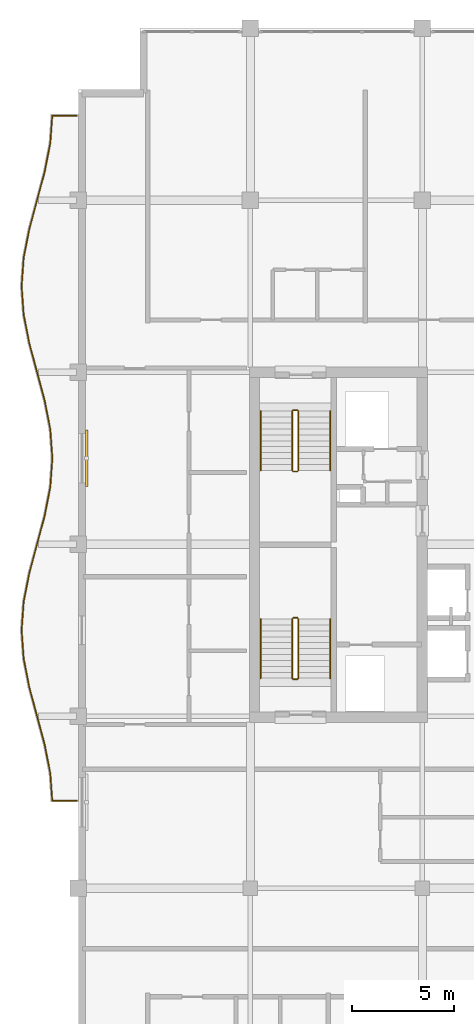
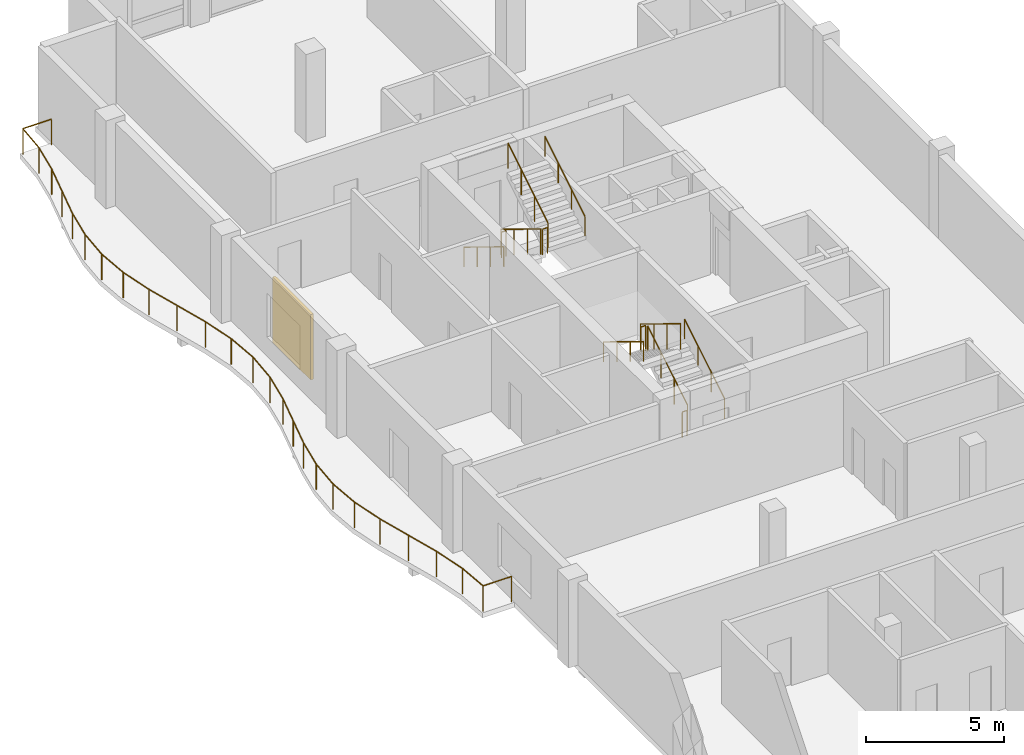
# One storey, part 15 of 15: 13 railings, 1 shading device.
"""IFC4 building model written with IfcOpenShell, lengths in metres."""

from ifc_helpers import new_model, si_unit, direction, frame, origin, origin_2d, place, context, subcontext, project, spatial, rectangle, circle, extrude, material, layer, layer_set, type_object, element, save


model = new_model("IFC4")

# Units and contexts
model_context = context("Model", 3, precision=1e-05, world=origin(), true_north=direction((0.0, 1.0)))
body_context = subcontext(model_context, "Body", "Model", "MODEL_VIEW")
ifc_project = project(units=[si_unit("LENGTHUNIT", "METRE"), si_unit("AREAUNIT", "SQUARE_METRE"), si_unit("VOLUMEUNIT", "CUBIC_METRE"), si_unit("PLANEANGLEUNIT", "RADIAN"), si_unit("MASSUNIT", "GRAM", prefix="KILO")], contexts=[model_context])

# Site, building, storey
site_placement = place(None, origin())
site = spatial("IfcSite", under=ifc_project, at=site_placement, CompositionType="ELEMENT")
building_placement = place(site_placement, origin())
building = spatial("IfcBuilding", under=site, at=building_placement, Name="Koriwani Terraces Tower", CompositionType="ELEMENT")
storey_placement = place(building_placement, frame((0.0, 0.0, 300.800048828125)))
storey = spatial("IfcBuildingStorey", under=building, at=storey_placement, Name="L74", CompositionType="ELEMENT", Elevation=300.800048828125)

# Railings
ifc_material_1 = material(Name="Steel ASTM A572 Grade 50", Category="steel")
railing_type_1 = type_object("IfcRailingType", Name="GUARD_BALUSTRADE_1150", PredefinedType="BALUSTRADE", material=ifc_material_1)
railing_1_placement = place(storey_placement, frame((8.320068359375, 37.8798828125, 0.0)))
element("IfcRailing", 1, at=railing_1_placement, inside=storey, type_object=railing_type_1, Name="L74 Balcony Perimeter Safety Balustrade (W)", PredefinedType="BALUSTRADE", context=body_context, shape_type="SweptSolid", body=[
    extrude(circle(Radius=0.02392578125, at=origin_2d()), frame((0.0, 0.0, 1.1259765625), z_axis=(-1.0, 0.0, 0.0), x_axis=(0.0, -1.0, 0.0)), (0.0, 0.0, 1.0), 1.195556640625),
    extrude(circle(Radius=0.02392578125, at=origin_2d()), frame((-1.195556640625, 0.0, 1.1259765625), z_axis=(-0.071910212079, 0.997411109522, 0.0), x_axis=(-0.997411109522, -0.071910212079, 0.0)), (0.0, 0.0, 1.0), 1.334228515625),
    extrude(circle(Radius=0.02392578125, at=origin_2d()), frame((-1.29150390625, 1.330810546875, 1.1259765625), z_axis=(-0.192218357442, 0.981352180954, 0.0), x_axis=(-0.981352180954, -0.192218357442, 0.0)), (0.0, 0.0, 1.0), 1.43408203125),
    extrude(circle(Radius=0.02392578125, at=origin_2d()), frame((-1.567138671875, 2.738037109375, 1.1259765625), z_axis=(-0.258710827923, 0.965954816498, 0.0), x_axis=(-0.965954816498, -0.258710827923, 0.0)), (0.0, 0.0, 1.0), 2.89892578125),
    extrude(circle(Radius=0.02392578125, at=origin_2d()), frame((-2.317138671875, 5.538330078125, 1.1259765625), z_axis=(-0.19237547223, 0.981321393675, 0.0), x_axis=(-0.981321393675, -0.19237547223, 0.0)), (0.0, 0.0, 1.0), 1.4189453125),
    extrude(circle(Radius=0.02392578125, at=origin_2d()), frame((-2.590087890625, 6.9306640625, 1.1259765625), z_axis=(-0.07168297904, 0.997427466293, 0.0), x_axis=(-0.997427466293, -0.07168297904, 0.0)), (0.0, 0.0, 1.0), 1.39306640625),
    extrude(circle(Radius=0.02392578125, at=origin_2d()), frame((-2.68994140625, 8.320068359375, 1.1259765625), z_axis=(0.07168297904, 0.997427466293, 0.0), x_axis=(-0.997427466293, 0.07168297904, 0.0)), (0.0, 0.0, 1.0), 1.39306640625),
    extrude(circle(Radius=0.02392578125, at=origin_2d()), frame((-2.590087890625, 9.70947265625, 1.1259765625), z_axis=(0.192342993657, 0.981327760125, 0.0), x_axis=(-0.981327760125, 0.192342993657, 0.0)), (0.0, 0.0, 1.0), 1.419189453125),
    extrude(circle(Radius=0.02392578125, at=origin_2d()), frame((-2.317138671875, 11.10205078125, 1.1259765625), z_axis=(0.258731875344, 0.96594917914, 0.0), x_axis=(-0.96594917914, 0.258731875344, 0.0)), (0.0, 0.0, 1.0), 2.898681640625),
    extrude(circle(Radius=0.02392578125, at=origin_2d()), frame((-1.567138671875, 13.902099609375, 1.1259765625), z_axis=(0.192186246762, 0.981358469957, 0.0), x_axis=(-0.981358469957, 0.192186246762, 0.0)), (0.0, 0.0, 1.0), 1.434326171875),
    extrude(circle(Radius=0.02392578125, at=origin_2d()), frame((-1.29150390625, 15.3095703125, 1.1259765625), z_axis=(0.071639614309, 0.997430581876, 0.0), x_axis=(-0.997430581876, 0.071639614309, 0.0)), (0.0, 0.0, 1.0), 1.414306640625),
    extrude(circle(Radius=0.02392578125, at=origin_2d()), frame((-1.190185546875, 16.72021484375, 1.1259765625), z_axis=(-0.071651951482, 0.997429695692, 0.0), x_axis=(-0.997429695692, -0.071651951482, 0.0)), (0.0, 0.0, 1.0), 1.4140625),
    extrude(circle(Radius=0.02392578125, at=origin_2d()), frame((-1.29150390625, 18.130615234375, 1.1259765625), z_axis=(-0.192186246762, 0.981358469957, 0.0), x_axis=(-0.981358469957, -0.192186246762, 0.0)), (0.0, 0.0, 1.0), 1.434326171875),
    extrude(circle(Radius=0.02392578125, at=origin_2d()), frame((-1.567138671875, 19.5380859375, 1.1259765625), z_axis=(-0.258731875344, 0.96594917914, 0.0), x_axis=(-0.96594917914, -0.258731875344, 0.0)), (0.0, 0.0, 1.0), 2.898681640625),
    extrude(circle(Radius=0.02392578125, at=origin_2d()), frame((-2.317138671875, 22.338134765625, 1.1259765625), z_axis=(-0.192342993657, 0.981327760125, 0.0), x_axis=(-0.981327760125, -0.192342993657, 0.0)), (0.0, 0.0, 1.0), 1.419189453125),
    extrude(circle(Radius=0.02392578125, at=origin_2d()), frame((-2.590087890625, 23.730712890625, 1.1259765625), z_axis=(-0.07168297904, 0.997427466293, 0.0), x_axis=(-0.997427466293, -0.07168297904, 0.0)), (0.0, 0.0, 1.0), 1.39306640625),
    extrude(circle(Radius=0.02392578125, at=origin_2d()), frame((-2.68994140625, 25.1201171875, 1.1259765625), z_axis=(0.07168297904, 0.997427466293, 0.0), x_axis=(-0.997427466293, 0.07168297904, 0.0)), (0.0, 0.0, 1.0), 1.39306640625),
    extrude(circle(Radius=0.02392578125, at=origin_2d()), frame((-2.590087890625, 26.509521484375, 1.1259765625), z_axis=(0.192342993657, 0.981327760125, 0.0), x_axis=(-0.981327760125, 0.192342993657, 0.0)), (0.0, 0.0, 1.0), 1.419189453125),
    extrude(circle(Radius=0.02392578125, at=origin_2d()), frame((-2.317138671875, 27.902099609375, 1.1259765625), z_axis=(0.258731875344, 0.96594917914, 0.0), x_axis=(-0.96594917914, 0.258731875344, 0.0)), (0.0, 0.0, 1.0), 2.898681640625),
    extrude(circle(Radius=0.02392578125, at=origin_2d()), frame((-1.567138671875, 30.7021484375, 1.1259765625), z_axis=(0.192186246762, 0.981358469957, 0.0), x_axis=(-0.981358469957, 0.192186246762, 0.0)), (0.0, 0.0, 1.0), 1.434326171875),
    extrude(circle(Radius=0.02392578125, at=origin_2d()), frame((-1.29150390625, 32.109619140625, 1.1259765625), z_axis=(0.071923338365, 0.997410163072, 0.0), x_axis=(-0.997410163072, 0.071923338365, 0.0)), (0.0, 0.0, 1.0), 1.333984375),
    extrude(circle(Radius=0.02392578125, at=origin_2d()), frame((-1.195556640625, 33.440185546875, 1.1259765625), z_axis=(1.0, 0.0, 0.0), x_axis=(0.0, 1.0, 0.0)), (0.0, 0.0, 1.0), 1.195556640625),
    extrude(circle(Radius=0.02099609375, at=origin_2d()), origin(), (0.0, 0.0, 1.0), 1.101806640625),
    extrude(circle(Radius=0.02099609375, at=origin_2d()), frame((-1.195556640625, 0.0, 0.0)), (0.0, 0.0, 1.0), 1.101806640625),
    extrude(circle(Radius=0.02099609375, at=origin_2d()), frame((-1.29150390625, 1.330810546875, 0.0)), (0.0, 0.0, 1.0), 1.101806640625),
    extrude(circle(Radius=0.02099609375, at=origin_2d()), frame((-1.567138671875, 2.738037109375, 0.0)), (0.0, 0.0, 1.0), 1.101806640625),
    extrude(circle(Radius=0.02099609375, at=origin_2d()), frame((-1.942138671875, 4.13818359375, 0.0)), (0.0, 0.0, 1.0), 1.101806640625),
    extrude(circle(Radius=0.02099609375, at=origin_2d()), frame((-2.317138671875, 5.538330078125, 0.0)), (0.0, 0.0, 1.0), 1.101806640625),
    extrude(circle(Radius=0.02099609375, at=origin_2d()), frame((-2.590087890625, 6.9306640625, 0.0)), (0.0, 0.0, 1.0), 1.101806640625),
    extrude(circle(Radius=0.02099609375, at=origin_2d()), frame((-2.68994140625, 8.320068359375, 0.0)), (0.0, 0.0, 1.0), 1.101806640625),
    extrude(circle(Radius=0.02099609375, at=origin_2d()), frame((-2.590087890625, 9.70947265625, 0.0)), (0.0, 0.0, 1.0), 1.101806640625),
    extrude(circle(Radius=0.02099609375, at=origin_2d()), frame((-2.317138671875, 11.10205078125, 0.0)), (0.0, 0.0, 1.0), 1.101806640625),
    extrude(circle(Radius=0.02099609375, at=origin_2d()), frame((-1.942138671875, 12.501953125, 0.0)), (0.0, 0.0, 1.0), 1.101806640625),
    extrude(circle(Radius=0.02099609375, at=origin_2d()), frame((-1.567138671875, 13.902099609375, 0.0)), (0.0, 0.0, 1.0), 1.101806640625),
    extrude(circle(Radius=0.02099609375, at=origin_2d()), frame((-1.29150390625, 15.3095703125, 0.0)), (0.0, 0.0, 1.0), 1.101806640625),
    extrude(circle(Radius=0.02099609375, at=origin_2d()), frame((-1.190185546875, 16.72021484375, 0.0)), (0.0, 0.0, 1.0), 1.101806640625),
    extrude(circle(Radius=0.02099609375, at=origin_2d()), frame((-1.29150390625, 18.130615234375, 0.0)), (0.0, 0.0, 1.0), 1.101806640625),
    extrude(circle(Radius=0.02099609375, at=origin_2d()), frame((-1.567138671875, 19.5380859375, 0.0)), (0.0, 0.0, 1.0), 1.101806640625),
    extrude(circle(Radius=0.02099609375, at=origin_2d()), frame((-1.942138671875, 20.93798828125, 0.0)), (0.0, 0.0, 1.0), 1.101806640625),
    extrude(circle(Radius=0.02099609375, at=origin_2d()), frame((-2.317138671875, 22.338134765625, 0.0)), (0.0, 0.0, 1.0), 1.101806640625),
    extrude(circle(Radius=0.02099609375, at=origin_2d()), frame((-2.590087890625, 23.730712890625, 0.0)), (0.0, 0.0, 1.0), 1.101806640625),
    extrude(circle(Radius=0.02099609375, at=origin_2d()), frame((-2.68994140625, 25.1201171875, 0.0)), (0.0, 0.0, 1.0), 1.101806640625),
    extrude(circle(Radius=0.02099609375, at=origin_2d()), frame((-2.590087890625, 26.509521484375, 0.0)), (0.0, 0.0, 1.0), 1.101806640625),
    extrude(circle(Radius=0.02099609375, at=origin_2d()), frame((-2.317138671875, 27.902099609375, 0.0)), (0.0, 0.0, 1.0), 1.101806640625),
    extrude(circle(Radius=0.02099609375, at=origin_2d()), frame((-1.942138671875, 29.30224609375, 0.0)), (0.0, 0.0, 1.0), 1.101806640625),
    extrude(circle(Radius=0.02099609375, at=origin_2d()), frame((-1.567138671875, 30.7021484375, 0.0)), (0.0, 0.0, 1.0), 1.101806640625),
    extrude(circle(Radius=0.02099609375, at=origin_2d()), frame((-1.29150390625, 32.109619140625, 0.0)), (0.0, 0.0, 1.0), 1.101806640625),
    extrude(circle(Radius=0.02099609375, at=origin_2d()), frame((-1.195556640625, 33.440185546875, 0.0)), (0.0, 0.0, 1.0), 1.101806640625),
    extrude(circle(Radius=0.02099609375, at=origin_2d()), frame((0.0, 33.440185546875, 0.0)), (0.0, 0.0, 1.0), 1.101806640625),
])
railing_type_2 = type_object("IfcRailingType", Name="GUARD_STAIR_WELL_1120", PredefinedType="GUARDRAIL", material=ifc_material_1)
railing_2_placement = place(storey_placement, frame((19.14990234375, 43.85009765625, 0.17724609375)))
element("IfcRailing", 2, at=railing_2_placement, inside=storey, type_object=railing_type_2, Name="L74 ST-W1 stair guard 1", PredefinedType="GUARDRAIL", context=body_context, shape_type="SweptSolid", body=[
    extrude(circle(Radius=0.02392578125, at=origin_2d()), frame((0.0, 0.0, 1.1259765625), z_axis=(0.0, 0.853210801645, 0.521566225858), x_axis=(-1.0, 0.0, 0.0)), (0.0, 0.0, 1.0), 3.39892578125),
    extrude(circle(Radius=0.02099609375, at=origin_2d()), origin(), (0.0, 0.0, 1.0), 1.101806640625),
    extrude(circle(Radius=0.02099609375, at=origin_2d()), frame((0.0, 0.966552734375, 0.5908203125)), (0.0, 0.0, 1.0), 1.101806640625),
    extrude(circle(Radius=0.02099609375, at=origin_2d()), frame((0.0, 1.933349609375, 1.181884765625)), (0.0, 0.0, 1.0), 1.101806640625),
    extrude(circle(Radius=0.02099609375, at=origin_2d()), frame((0.0, 2.89990234375, 1.772705078125)), (0.0, 0.0, 1.0), 1.101806640625),
])
railing_3_placement = place(storey_placement, frame((19.10009765625, 46.800048828125, 1.949951171875)))
element("IfcRailing", 3, at=railing_3_placement, inside=storey, type_object=railing_type_2, Name="L74 ST-W1 stair guard 2", PredefinedType="GUARDRAIL", context=body_context, shape_type="SweptSolid", body=[
    extrude(circle(Radius=0.02392578125, at=origin_2d()), frame((0.0, 0.0, 1.1259765625), z_axis=(-1.0, 0.0, 0.0), x_axis=(0.0, -1.0, 0.0)), (0.0, 0.0, 1.0), 0.2001953125),
    extrude(circle(Radius=0.02099609375, at=origin_2d()), origin(), (0.0, 0.0, 1.0), 1.101806640625),
    extrude(circle(Radius=0.02099609375, at=origin_2d()), frame((-0.2001953125, 0.0, 0.0)), (0.0, 0.0, 1.0), 1.101806640625),
])
railing_4_placement = place(storey_placement, frame((18.85009765625, 46.75, 2.127197265625)))
element("IfcRailing", 4, at=railing_4_placement, inside=storey, type_object=railing_type_2, Name="L74 ST-W1 stair guard 3", PredefinedType="GUARDRAIL", context=body_context, shape_type="SweptSolid", body=[
    extrude(circle(Radius=0.02392578125, at=origin_2d()), frame((0.0, 0.0, 1.1259765625), z_axis=(0.0, -0.853210801645, 0.521566225858), x_axis=(1.0, 0.0, 0.0)), (0.0, 0.0, 1.0), 3.39892578125),
    extrude(circle(Radius=0.02099609375, at=origin_2d()), origin(), (0.0, 0.0, 1.0), 1.101806640625),
    extrude(circle(Radius=0.02099609375, at=origin_2d()), frame((0.0, -0.966552734375, 0.5908203125)), (0.0, 0.0, 1.0), 1.101806640625),
    extrude(circle(Radius=0.02099609375, at=origin_2d()), frame((0.0, -1.933349609375, 1.181884765625)), (0.0, 0.0, 1.0), 1.101806640625),
    extrude(circle(Radius=0.02099609375, at=origin_2d()), frame((0.0, -2.89990234375, 1.772705078125)), (0.0, 0.0, 1.0), 1.101806640625),
])
railing_5_placement = place(storey_placement, frame((19.10009765625, 43.800048828125, 0.0)))
element("IfcRailing", 5, at=railing_5_placement, inside=storey, type_object=railing_type_2, Name="L74 ST-W1 stair guard 4", PredefinedType="GUARDRAIL", context=body_context, shape_type="SweptSolid", body=[
    extrude(circle(Radius=0.02392578125, at=origin_2d()), frame((0.0, 0.0, 1.1259765625), z_axis=(-1.0, 0.0, 0.0), x_axis=(0.0, -1.0, 0.0)), (0.0, 0.0, 1.0), 0.2001953125),
    extrude(circle(Radius=0.02099609375, at=origin_2d()), origin(), (0.0, 0.0, 1.0), 1.101806640625),
    extrude(circle(Radius=0.02099609375, at=origin_2d()), frame((-0.2001953125, 0.0, 0.0)), (0.0, 0.0, 1.0), 1.101806640625),
])
railing_6_placement = place(storey_placement, frame((18.85009765625, 56.89990234375, 0.17724609375)))
element("IfcRailing", 6, at=railing_6_placement, inside=storey, type_object=railing_type_2, Name="L74 ST-W2 stair guard 1", PredefinedType="GUARDRAIL", context=body_context, shape_type="SweptSolid", body=[
    extrude(circle(Radius=0.02392578125, at=origin_2d()), frame((0.0, 0.0, 1.1259765625), z_axis=(0.0, -0.853210801645, 0.521566225858), x_axis=(1.0, 0.0, 0.0)), (0.0, 0.0, 1.0), 3.39892578125),
    extrude(circle(Radius=0.02099609375, at=origin_2d()), origin(), (0.0, 0.0, 1.0), 1.101806640625),
    extrude(circle(Radius=0.02099609375, at=origin_2d()), frame((0.0, -0.966552734375, 0.5908203125)), (0.0, 0.0, 1.0), 1.101806640625),
    extrude(circle(Radius=0.02099609375, at=origin_2d()), frame((0.0, -1.933349609375, 1.181884765625)), (0.0, 0.0, 1.0), 1.101806640625),
    extrude(circle(Radius=0.02099609375, at=origin_2d()), frame((0.0, -2.89990234375, 1.772705078125)), (0.0, 0.0, 1.0), 1.101806640625),
])
railing_7_placement = place(storey_placement, frame((18.89990234375, 53.949951171875, 1.949951171875)))
element("IfcRailing", 7, at=railing_7_placement, inside=storey, type_object=railing_type_2, Name="L74 ST-W2 stair guard 2", PredefinedType="GUARDRAIL", context=body_context, shape_type="SweptSolid", body=[
    extrude(circle(Radius=0.02392578125, at=origin_2d()), frame((0.0, 0.0, 1.1259765625), z_axis=(1.0, 0.0, 0.0), x_axis=(0.0, 1.0, 0.0)), (0.0, 0.0, 1.0), 0.2001953125),
    extrude(circle(Radius=0.02099609375, at=origin_2d()), origin(), (0.0, 0.0, 1.0), 1.101806640625),
    extrude(circle(Radius=0.02099609375, at=origin_2d()), frame((0.2001953125, 0.0, 0.0)), (0.0, 0.0, 1.0), 1.101806640625),
])
railing_8_placement = place(storey_placement, frame((19.14990234375, 54.0, 2.127197265625)))
element("IfcRailing", 8, at=railing_8_placement, inside=storey, type_object=railing_type_2, Name="L74 ST-W2 stair guard 3", PredefinedType="GUARDRAIL", context=body_context, shape_type="SweptSolid", body=[
    extrude(circle(Radius=0.02392578125, at=origin_2d()), frame((0.0, 0.0, 1.1259765625), z_axis=(0.0, 0.853210801645, 0.521566225858), x_axis=(-1.0, 0.0, 0.0)), (0.0, 0.0, 1.0), 3.39892578125),
    extrude(circle(Radius=0.02099609375, at=origin_2d()), origin(), (0.0, 0.0, 1.0), 1.101806640625),
    extrude(circle(Radius=0.02099609375, at=origin_2d()), frame((0.0, 0.966552734375, 0.5908203125)), (0.0, 0.0, 1.0), 1.101806640625),
    extrude(circle(Radius=0.02099609375, at=origin_2d()), frame((0.0, 1.933349609375, 1.181884765625)), (0.0, 0.0, 1.0), 1.101806640625),
    extrude(circle(Radius=0.02099609375, at=origin_2d()), frame((0.0, 2.89990234375, 1.772705078125)), (0.0, 0.0, 1.0), 1.101806640625),
])
railing_9_placement = place(storey_placement, frame((18.89990234375, 56.949951171875, 0.0)))
element("IfcRailing", 9, at=railing_9_placement, inside=storey, type_object=railing_type_2, Name="L74 ST-W2 stair guard 4", PredefinedType="GUARDRAIL", context=body_context, shape_type="SweptSolid", body=[
    extrude(circle(Radius=0.02392578125, at=origin_2d()), frame((0.0, 0.0, 1.1259765625), z_axis=(1.0, 0.0, 0.0), x_axis=(0.0, 1.0, 0.0)), (0.0, 0.0, 1.0), 0.2001953125),
    extrude(circle(Radius=0.02099609375, at=origin_2d()), origin(), (0.0, 0.0, 1.0), 1.101806640625),
    extrude(circle(Radius=0.02099609375, at=origin_2d()), frame((0.2001953125, 0.0, 0.0)), (0.0, 0.0, 1.0), 1.101806640625),
])
railing_type_3 = type_object("IfcRailingType", Name="HANDRAIL_STAIR_920", PredefinedType="HANDRAIL", material=ifc_material_1)
railing_10_placement = place(storey_placement, frame((20.699951171875, 43.85009765625, 0.17724609375)))
element("IfcRailing", 10, at=railing_10_placement, inside=storey, type_object=railing_type_3, Name="L74 ST-W1 stair handrail 1", PredefinedType="HANDRAIL", context=body_context, shape_type="SweptSolid", body=[
    extrude(circle(Radius=0.02392578125, at=origin_2d()), frame((0.0, 0.0, 0.8759765625), z_axis=(0.0, 0.853210801645, 0.521566225858), x_axis=(-1.0, 0.0, 0.0)), (0.0, 0.0, 1.0), 3.39892578125),
    extrude(circle(Radius=0.02099609375, at=origin_2d()), origin(), (0.0, 0.0, 1.0), 0.851806640625),
    extrude(circle(Radius=0.02099609375, at=origin_2d()), frame((0.0, 0.966552734375, 0.5908203125)), (0.0, 0.0, 1.0), 0.851806640625),
    extrude(circle(Radius=0.02099609375, at=origin_2d()), frame((0.0, 1.933349609375, 1.181884765625)), (0.0, 0.0, 1.0), 0.851806640625),
    extrude(circle(Radius=0.02099609375, at=origin_2d()), frame((0.0, 2.89990234375, 1.772705078125)), (0.0, 0.0, 1.0), 0.851806640625),
])
for number, where, name in (
    (11, (17.300048828125, 46.75, 2.127197265625), "L74 ST-W1 stair handrail 2"),
    (12, (17.300048828125, 56.89990234375, 0.17724609375), "L74 ST-W2 stair handrail 1"),
):
    element("IfcRailing", number, at=place(storey_placement, frame(where)), inside=storey, type_object=railing_type_3, Name=name, PredefinedType="HANDRAIL", context=body_context, shape_type="SweptSolid", body=[
        extrude(circle(Radius=0.02392578125, at=origin_2d()), frame((0.0, 0.0, 0.8759765625), z_axis=(0.0, -0.853210801645, 0.521566225858), x_axis=(1.0, 0.0, 0.0)), (0.0, 0.0, 1.0), 3.39892578125),
        extrude(circle(Radius=0.02099609375, at=origin_2d()), origin(), (0.0, 0.0, 1.0), 0.851806640625),
        extrude(circle(Radius=0.02099609375, at=origin_2d()), frame((0.0, -0.966552734375, 0.5908203125)), (0.0, 0.0, 1.0), 0.851806640625),
        extrude(circle(Radius=0.02099609375, at=origin_2d()), frame((0.0, -1.933349609375, 1.181884765625)), (0.0, 0.0, 1.0), 0.851806640625),
        extrude(circle(Radius=0.02099609375, at=origin_2d()), frame((0.0, -2.89990234375, 1.772705078125)), (0.0, 0.0, 1.0), 0.851806640625),
    ])
railing_11_placement = place(storey_placement, frame((20.699951171875, 54.0, 2.127197265625)))
element("IfcRailing", 13, at=railing_11_placement, inside=storey, type_object=railing_type_3, Name="L74 ST-W2 stair handrail 2", PredefinedType="HANDRAIL", context=body_context, shape_type="SweptSolid", body=[
    extrude(circle(Radius=0.02392578125, at=origin_2d()), frame((0.0, 0.0, 0.8759765625), z_axis=(0.0, 0.853210801645, 0.521566225858), x_axis=(-1.0, 0.0, 0.0)), (0.0, 0.0, 1.0), 3.39892578125),
    extrude(circle(Radius=0.02099609375, at=origin_2d()), origin(), (0.0, 0.0, 1.0), 0.851806640625),
    extrude(circle(Radius=0.02099609375, at=origin_2d()), frame((0.0, 0.966552734375, 0.5908203125)), (0.0, 0.0, 1.0), 0.851806640625),
    extrude(circle(Radius=0.02099609375, at=origin_2d()), frame((0.0, 1.933349609375, 1.181884765625)), (0.0, 0.0, 1.0), 0.851806640625),
    extrude(circle(Radius=0.02099609375, at=origin_2d()), frame((0.0, 2.89990234375, 1.772705078125)), (0.0, 0.0, 1.0), 0.851806640625),
])

# Shading device
ifc_material_2 = material(Name="Extruded Terracotta Clay", Category="masonry")
ifc_layer = layer(ifc_material_2, 0.1201171875, Name="Extruded Terracotta Clay")
ifc_layer_set = layer_set([ifc_layer], Name="Extruded Terracotta Clay")
shading_device_type = type_object("IfcShadingDeviceType", Name="TERRACOTTA_BAGUETTE_SCREEN_2800", PredefinedType="USERDEFINED", material=ifc_layer_set)
shading_device_placement = place(storey_placement, frame((8.804931640625, 54.60009765625, 0.385009765625), z_axis=(0.0, 0.0, 1.0), x_axis=(0.0, 1.0, 0.0)))
element("IfcShadingDevice", 14, at=shading_device_placement, inside=storey, type_object=shading_device_type, Name="L74 Extruded Terracotta Baguette Screen (W-15)", ObjectType="BAGUETTE", PredefinedType="USERDEFINED", context=body_context, shape_type="SweptSolid", body=[
    extrude(rectangle(XDim=2.760009765625, YDim=0.1201171875, at=origin_2d()), origin(), (0.0, 0.0, 1.0), 2.89990234375),
])

save(model, "model.ifc")
